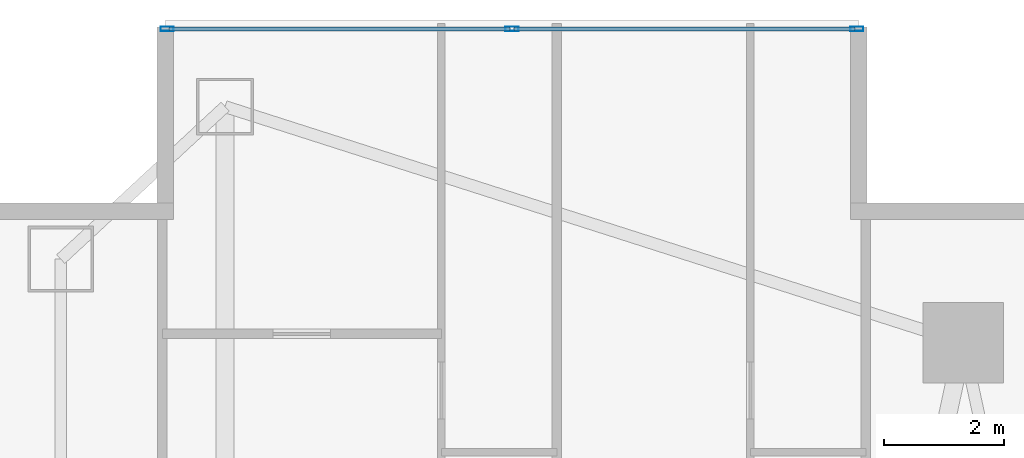
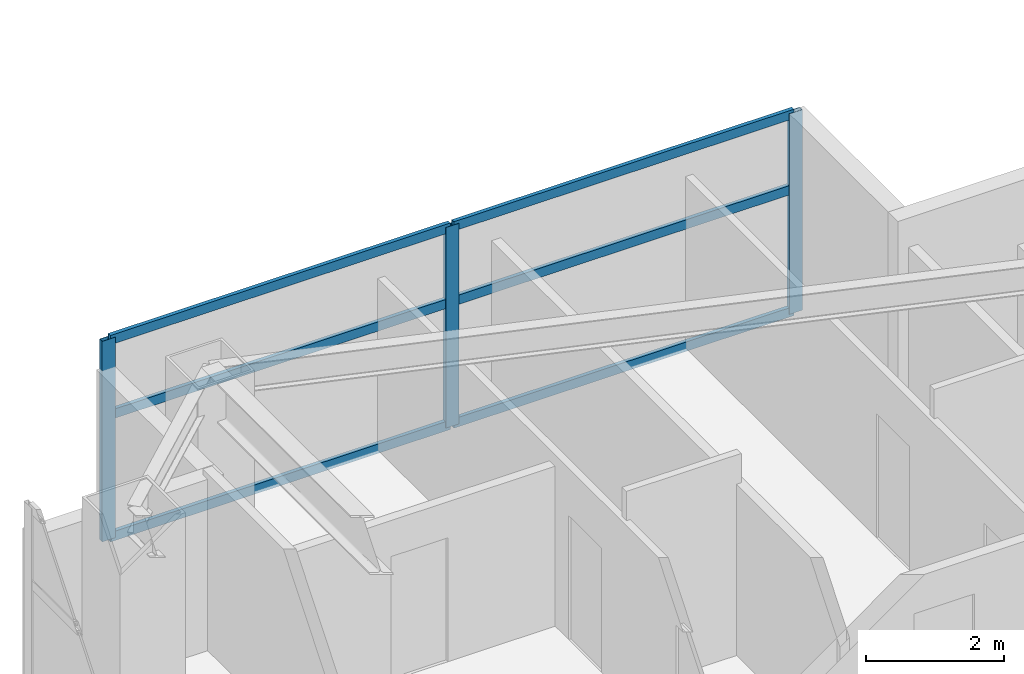
# One storey, part 19 of 30: 9 members, 1 element without a shape of its own.
"""IFC4 building model written with IfcOpenShell, lengths in metres."""

from ifc_helpers import new_model, si_unit, direction, frame, origin, origin_2d, place, context, subcontext, project, spatial, hollow_rectangle, extrude, material, layer, layer_set, material_profile, profile_set, type_object, element, aggregate, save


model = new_model("IFC4")

# Units and contexts
model_context = context("Model", 3, precision=1e-05, world=origin(), true_north=direction((0.0, 1.0)))
body_context = subcontext(model_context, "Body", "Model", "MODEL_VIEW")
ifc_project = project(units=[si_unit("LENGTHUNIT", "METRE"), si_unit("AREAUNIT", "SQUARE_METRE"), si_unit("VOLUMEUNIT", "CUBIC_METRE"), si_unit("PLANEANGLEUNIT", "RADIAN"), si_unit("MASSUNIT", "GRAM", prefix="KILO")], contexts=[model_context])

# Site, building, storey
site_placement = place(None, origin())
site = spatial("IfcSite", under=ifc_project, at=site_placement, CompositionType="ELEMENT")
building_placement = place(site_placement, origin())
building = spatial("IfcBuilding", under=site, at=building_placement, Name="Calvorn Quay Hotel", CompositionType="ELEMENT")
storey_placement = place(building_placement, frame((0.0, 0.0, 54.60009765625)))
storey = spatial("IfcBuildingStorey", under=building, at=storey_placement, Name="L12", CompositionType="ELEMENT", Elevation=54.60009765625)

# Curtain wall, members
ifc_material_1 = material(Name="Pale Anodised Aluminium and Low-E Glass", Category="aluminium")
ifc_layer = layer(ifc_material_1, 0.219970703125)
ifc_layer_set = layer_set([ifc_layer], Name="CW-SYS-Z1")
curtain_wall_type = type_object("IfcCurtainWallType", Name="CW-SYS-Z1", PredefinedType="NOTDEFINED", material=ifc_layer_set)
curtain_wall_placement = place(storey_placement, origin())
curtain_wall = element("IfcCurtainWall", 1, at=curtain_wall_placement, inside=storey, type_object=curtain_wall_type, Name="Inner Court Curtain Wall L12-N1", PredefinedType="NOTDEFINED")
ifc_material_2 = material(Name="Pale Anodised Aluminium 6063-T6", Category="aluminium")
ifc_material_profile_1 = material_profile(ifc_material_2, hollow_rectangle(XDim=0.074951171875, YDim=0.219970703125, WallThickness=0.00439453125, at=origin_2d()), Name="ALU-M220x75x4.5")
ifc_profile_set_1 = profile_set([ifc_material_profile_1], Name="Pale Anodised Aluminium 6063-T6")
member_type_1 = type_object("IfcMemberType", Name="CW-SYS-Z1-MUL", PredefinedType="MULLION", material=ifc_profile_set_1)
member_1_placement = place(storey_placement, frame((14.77001953125, 50.85009765625, 0.0), z_axis=(0.0, 0.0, 1.0), x_axis=(0.0, -1.0, 0.0)))
member_1 = element("IfcMember", 2, at=member_1_placement, type_object=member_type_1, Name="CW-L12-N1 mullion 1", PredefinedType="MULLION", context=body_context, shape_type="SweptSolid", body=[
    extrude(hollow_rectangle(XDim=0.074951171875, YDim=0.219970703125, WallThickness=0.00439453125, at=origin_2d()), origin(), (0.0, 0.0, 1.0), 3.559814453125),
])
member_2_placement = place(storey_placement, frame((9.0, 50.85009765625, 0.0), z_axis=(0.0, 0.0, 1.0), x_axis=(0.0, -1.0, 0.0)))
member_2 = element("IfcMember", 3, at=member_2_placement, type_object=member_type_1, Name="CW-L12-N1 mullion 2", PredefinedType="MULLION", context=body_context, shape_type="SweptSolid", body=[
    extrude(hollow_rectangle(XDim=0.074951171875, YDim=0.219970703125, WallThickness=0.00439453125, at=origin_2d()), origin(), (0.0, 0.0, 1.0), 3.559814453125),
])
member_3_placement = place(storey_placement, frame((3.22998046875, 50.85009765625, 0.0), z_axis=(0.0, 0.0, 1.0), x_axis=(0.0, -1.0, 0.0)))
member_3 = element("IfcMember", 4, at=member_3_placement, type_object=member_type_1, Name="CW-L12-N1 mullion 3", PredefinedType="MULLION", context=body_context, shape_type="SweptSolid", body=[
    extrude(hollow_rectangle(XDim=0.074951171875, YDim=0.219970703125, WallThickness=0.00439453125, at=origin_2d()), origin(), (0.0, 0.0, 1.0), 3.559814453125),
])
ifc_material_3 = material(Name="Pale Anodised Aluminium 6063-T6", Category="aluminium")
ifc_material_profile_2 = material_profile(ifc_material_3, hollow_rectangle(XDim=0.06494140625, YDim=0.1650390625, WallThickness=0.00341796875, at=origin_2d()), Name="ALU-T165x65x3.5")
ifc_profile_set_2 = profile_set([ifc_material_profile_2], Name="Pale Anodised Aluminium 6063-T6")
member_type_2 = type_object("IfcMemberType", Name="CW-SYS-Z1-TRN", PredefinedType="USERDEFINED", material=ifc_profile_set_2)
member_4_placement = place(storey_placement, frame((14.739990234375, 50.85009765625, 0.02978515625), z_axis=(-1.0, 0.0, 0.0), x_axis=(0.0, -1.0, 0.0)))
member_4 = element("IfcMember", 5, at=member_4_placement, type_object=member_type_2, Name="CW-L12-N1 transom 1.1", ObjectType="TRANSOM", PredefinedType="USERDEFINED", context=body_context, shape_type="SweptSolid", body=[
    extrude(hollow_rectangle(XDim=0.06494140625, YDim=0.1650390625, WallThickness=0.00341796875, at=origin_2d()), origin(), (0.0, 0.0, 1.0), 5.7099609375),
])
member_5_placement = place(storey_placement, frame((14.739990234375, 50.85009765625, 2.199951171875), z_axis=(-1.0, 0.0, 0.0), x_axis=(0.0, -1.0, 0.0)))
member_5 = element("IfcMember", 6, at=member_5_placement, type_object=member_type_2, Name="CW-L12-N1 transom 1.2", ObjectType="TRANSOM", PredefinedType="USERDEFINED", context=body_context, shape_type="SweptSolid", body=[
    extrude(hollow_rectangle(XDim=0.06494140625, YDim=0.1650390625, WallThickness=0.00341796875, at=origin_2d()), origin(), (0.0, 0.0, 1.0), 5.7099609375),
])
member_6_placement = place(storey_placement, frame((14.739990234375, 50.85009765625, 3.52978515625), z_axis=(-1.0, 0.0, 0.0), x_axis=(0.0, -1.0, 0.0)))
member_6 = element("IfcMember", 7, at=member_6_placement, type_object=member_type_2, Name="CW-L12-N1 transom 1.3", ObjectType="TRANSOM", PredefinedType="USERDEFINED", context=body_context, shape_type="SweptSolid", body=[
    extrude(hollow_rectangle(XDim=0.06494140625, YDim=0.1650390625, WallThickness=0.00341796875, at=origin_2d()), origin(), (0.0, 0.0, 1.0), 5.7099609375),
])
member_7_placement = place(storey_placement, frame((8.969970703125, 50.85009765625, 0.02978515625), z_axis=(-1.0, 0.0, 0.0), x_axis=(0.0, -1.0, 0.0)))
member_7 = element("IfcMember", 8, at=member_7_placement, type_object=member_type_2, Name="CW-L12-N1 transom 2.1", ObjectType="TRANSOM", PredefinedType="USERDEFINED", context=body_context, shape_type="SweptSolid", body=[
    extrude(hollow_rectangle(XDim=0.06494140625, YDim=0.1650390625, WallThickness=0.00341796875, at=origin_2d()), origin(), (0.0, 0.0, 1.0), 5.7099609375),
])
member_8_placement = place(storey_placement, frame((8.969970703125, 50.85009765625, 2.199951171875), z_axis=(-1.0, 0.0, 0.0), x_axis=(0.0, -1.0, 0.0)))
member_8 = element("IfcMember", 9, at=member_8_placement, type_object=member_type_2, Name="CW-L12-N1 transom 2.2", ObjectType="TRANSOM", PredefinedType="USERDEFINED", context=body_context, shape_type="SweptSolid", body=[
    extrude(hollow_rectangle(XDim=0.06494140625, YDim=0.1650390625, WallThickness=0.00341796875, at=origin_2d()), origin(), (0.0, 0.0, 1.0), 5.7099609375),
])
member_9_placement = place(storey_placement, frame((8.969970703125, 50.85009765625, 3.52978515625), z_axis=(-1.0, 0.0, 0.0), x_axis=(0.0, -1.0, 0.0)))
member_9 = element("IfcMember", 10, at=member_9_placement, type_object=member_type_2, Name="CW-L12-N1 transom 2.3", ObjectType="TRANSOM", PredefinedType="USERDEFINED", context=body_context, shape_type="SweptSolid", body=[
    extrude(hollow_rectangle(XDim=0.06494140625, YDim=0.1650390625, WallThickness=0.00341796875, at=origin_2d()), origin(), (0.0, 0.0, 1.0), 5.7099609375),
])
aggregate(curtain_wall, [member_1, member_2, member_3, member_4, member_5, member_6, member_7, member_8, member_9])

save(model, "model.ifc")
